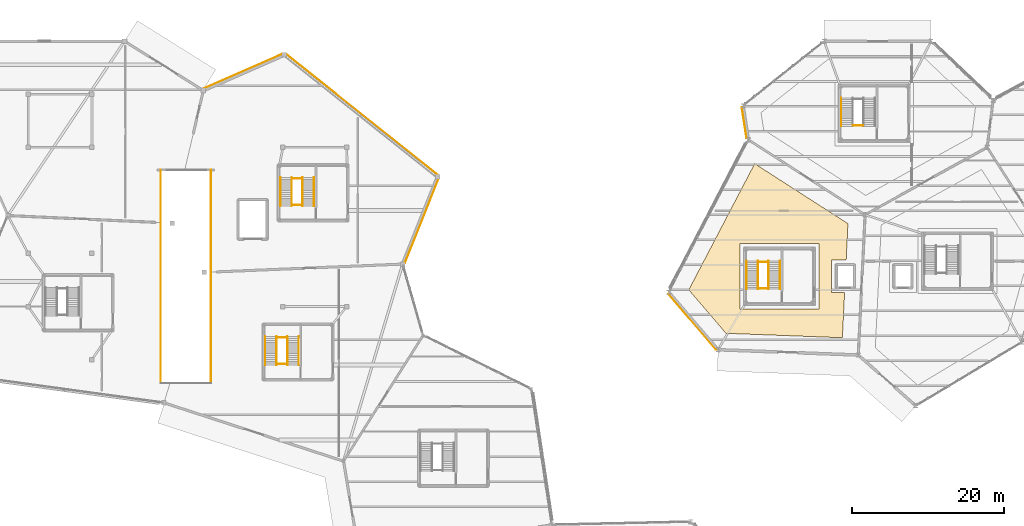
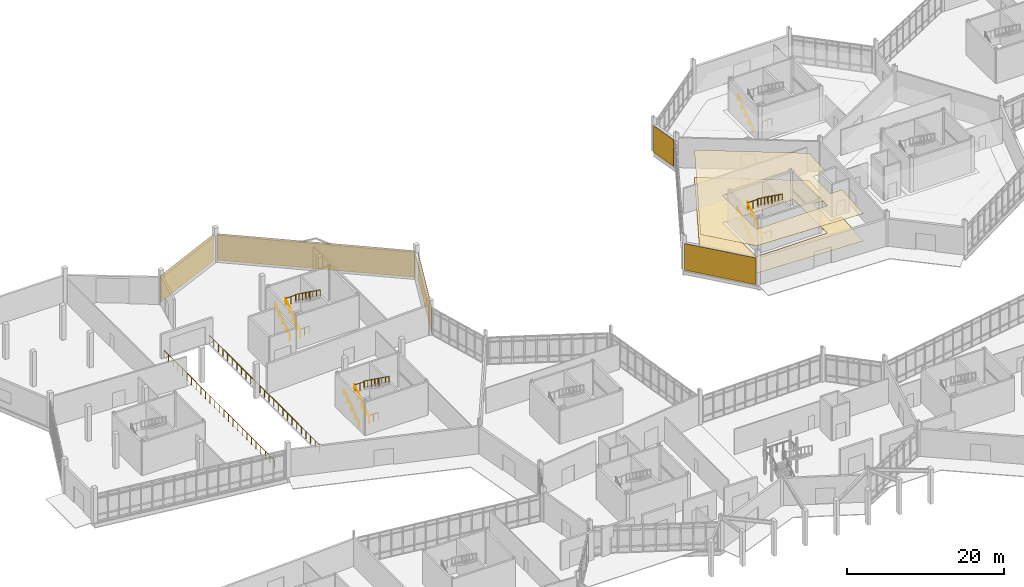
# One storey, part 112 of 113: 22 railings, 7 coverings.
"""IFC4 building model written with IfcOpenShell, lengths in metres."""

import ifcopenshell
import ifcopenshell.guid

model = None  # the IFC model being written
_history = None  # IfcOwnerHistory: only IFC2X3 demands one
_inside = {}  # id of a spatial element -> (the spatial element, [elements in it])
_under = {}  # id of a project, library or spatial element -> (it, [spatial elements below it])
_declared = {}  # id of a project -> (the project, [libraries it declares])
_typed = {}  # id of a type object -> (the type object, [elements of that type])
_made_of = {}  # id of a material, layer set ... -> (it, [elements and type objects made of it])


def new_model(schema):
    """Start an empty IFC model of exactly this schema.

    Asked for "IFC4X3", IfcOpenShell would pick the latest addendum, in which some entities
    have other attributes; the version numbers below select the first issue.
    IFC2X3 requires an IfcOwnerHistory on every rooted entity: one is made here for all.
    """
    global model, _history
    if schema == "IFC4X3":
        model = ifcopenshell.file(schema_version=(4, 3, 0, 0))
    else:
        model = ifcopenshell.file(schema=schema)
    _inside.clear()
    _under.clear()
    _declared.clear()
    _typed.clear()
    _made_of.clear()
    _history = None
    if model.schema == "IFC2X3":
        org = make("IfcOrganization", Name="unknown")
        user = make(
            "IfcPersonAndOrganization",
            ThePerson=make("IfcPerson", FamilyName="unknown"),
            TheOrganization=org,
        )
        app = make(
            "IfcApplication",
            ApplicationDeveloper=org,
            Version="unknown",
            ApplicationFullName="unknown",
            ApplicationIdentifier="unknown",
        )
        _history = make(
            "IfcOwnerHistory",
            OwningUser=user,
            OwningApplication=app,
            ChangeAction="ADDED",
            CreationDate=0,
        )
    return model


def make(cls, **values):
    """One entity of the class cls with the attributes given. An attribute that is None is left unset."""
    return model.create_entity(
        cls, **{name: value for name, value in values.items() if value is not None}
    )


def rooted(cls, **values):
    """An entity with a GlobalId (a new one), such as an element, a storey or a relation."""
    return make(cls, GlobalId=ifcopenshell.guid.new(), OwnerHistory=_history, **values)


def si_unit(unit_type, name, prefix=None):
    """IfcSIUnit, for example si_unit("LENGTHUNIT", "METRE", prefix="MILLI")."""
    return make("IfcSIUnit", UnitType=unit_type, Prefix=prefix, Name=name)


def assignment(units):
    """IfcUnitAssignment: the units of a project."""
    return None if units is None else make("IfcUnitAssignment", Units=units)


def point(xyz):
    """IfcCartesianPoint."""
    return None if xyz is None else make("IfcCartesianPoint", Coordinates=xyz)


def direction(xyz):
    """IfcDirection."""
    return None if xyz is None else make("IfcDirection", DirectionRatios=xyz)


def frame(location, z_axis=None, x_axis=None):
    """IfcAxis2Placement3D, a coordinate frame: its origin and axes. An axis left out is left unset."""
    return make(
        "IfcAxis2Placement3D",
        Location=point(location),
        Axis=direction(z_axis),
        RefDirection=direction(x_axis),
    )


def frame_2d(location, x_axis=None):
    """IfcAxis2Placement2D, a coordinate frame in the plane: its origin and x axis."""
    return make(
        "IfcAxis2Placement2D", Location=point(location), RefDirection=direction(x_axis)
    )


def origin():
    """The frame at (0, 0, 0) with its axes left unset."""
    return frame((0.0, 0.0, 0.0))


def origin_2d():
    """The frame at (0, 0) in the plane with its x axis left unset."""
    return frame_2d((0.0, 0.0))


def place(relative_to, where):
    """IfcLocalPlacement: puts the frame where relative to a parent placement (None: the world)."""
    return make(
        "IfcLocalPlacement", PlacementRelTo=relative_to, RelativePlacement=where
    )


def context(
    kind, dimensions, precision=None, world=None, true_north=None, identifier=None
):
    """IfcGeometricRepresentationContext, for example the 3D "Model" context."""
    return make(
        "IfcGeometricRepresentationContext",
        ContextIdentifier=identifier,
        ContextType=kind,
        CoordinateSpaceDimension=dimensions,
        Precision=precision,
        WorldCoordinateSystem=world,
        TrueNorth=true_north,
    )


def subcontext(parent, identifier, kind, view, scale=None):
    """IfcGeometricRepresentationSubContext, for example "Body" below "Model"."""
    return make(
        "IfcGeometricRepresentationSubContext",
        ContextIdentifier=identifier,
        ContextType=kind,
        ParentContext=parent,
        TargetScale=scale,
        TargetView=view,
    )


def project(units=None, contexts=None):
    """IfcProject with its units and contexts."""
    return rooted(
        "IfcProject",
        Name="project",
        RepresentationContexts=contexts,
        UnitsInContext=assignment(units),
    )


def spatial(cls, under=None, at=None, **own):
    """A site, building, storey or space (cls), placed at a placement, below another one or the project."""
    s = rooted(cls, ObjectPlacement=at, **own)
    if under is not None:
        _under.setdefault(under.id(), (under, []))[1].append(s)
    return s


def polyline(points):
    """IfcPolyline through the points."""
    return make("IfcPolyline", Points=[point(p) for p in points])


def profile(cls, at=None, kind="AREA", **sizes):
    """A parametric profile (cls). Its sizes go by their IFC names, for example OverallWidth=200.0."""
    return make(cls, ProfileType=kind, Position=at, **sizes)


def rectangle(**sizes):
    """IfcRectangleProfileDef."""
    return profile("IfcRectangleProfileDef", **sizes)


def circle(**sizes):
    """IfcCircleProfileDef."""
    return profile("IfcCircleProfileDef", **sizes)


def outline(outer, holes=None, kind="AREA"):
    """IfcArbitraryClosedProfileDef: a profile drawn as a closed curve; with holes, ...WithVoids."""
    if holes is None:
        return make("IfcArbitraryClosedProfileDef", ProfileType=kind, OuterCurve=outer)
    return make(
        "IfcArbitraryProfileDefWithVoids",
        ProfileType=kind,
        OuterCurve=outer,
        InnerCurves=holes,
    )


def extrude(swept, where, along, depth):
    """IfcExtrudedAreaSolid: the profile swept, set in the frame where, extruded along a direction by depth."""
    return make(
        "IfcExtrudedAreaSolid",
        SweptArea=swept,
        Position=where,
        ExtrudedDirection=direction(along),
        Depth=depth,
    )


def shape(context_of_items, identifier, shape_type, items):
    """IfcShapeRepresentation: the items that make up one representation, for example the "Body"."""
    return make(
        "IfcShapeRepresentation",
        ContextOfItems=context_of_items,
        RepresentationIdentifier=identifier,
        RepresentationType=shape_type,
        Items=items,
    )


def material(Name=None, Category=None):
    """IfcMaterial."""
    return make("IfcMaterial", Name=Name, Category=Category)


def layer(
    of_material, thickness, ventilated=None, Name=None, Category=None, Priority=None
):
    """IfcMaterialLayer: one layer of a wall or slab, of a material (None: an air gap)."""
    return make(
        "IfcMaterialLayer",
        Material=of_material,
        LayerThickness=thickness,
        IsVentilated=ventilated,
        Name=Name,
        Category=Category,
        Priority=Priority,
    )


def layer_set(layers, Name=None):
    """IfcMaterialLayerSet."""
    return make("IfcMaterialLayerSet", MaterialLayers=layers, LayerSetName=Name)


def made_of(thing, what):
    """Note that an element or type object is made of a material, layer set ...; save() writes the relation."""
    if what is not None:
        _made_of.setdefault(what.id(), (what, []))[1].append(thing)
    return thing


def type_object(cls, material=None, **own):
    """A type object (cls), such as IfcWallType, which elements share."""
    return made_of(rooted(cls, **own), material)


def element(
    cls,
    number,
    at=None,
    inside=None,
    cuts=None,
    type_object=None,
    material=None,
    context=None,
    identifier="Body",
    shape_type=None,
    held_by="IfcProductDefinitionShape",
    body=None,
    shapes=None,
    **own,
):
    """One element of the class cls, such as IfcWall. Its Tag is "e" and its number.

    at: its placement. inside: the storey or other place that contains it. cuts: it is an
    opening in that element (IfcRelVoidsElement). A single representation is given by context,
    identifier, shape_type and body (its items); several are given by shapes. held_by: the class
    of the entity that holds the representations. save() writes the other relations.
    """
    e = rooted(cls, Tag="e%d" % number, ObjectPlacement=at, **own)
    if body is not None:
        shapes = [shape(context, identifier, shape_type, body)]
    if shapes is not None:
        e.Representation = make(held_by, Representations=shapes)
    if inside is not None:
        _inside.setdefault(inside.id(), (inside, []))[1].append(e)
    if cuts is not None:
        rooted(
            "IfcRelVoidsElement", RelatingBuildingElement=cuts, RelatedOpeningElement=e
        )
    if type_object is not None:
        _typed.setdefault(type_object.id(), (type_object, []))[1].append(e)
    return made_of(e, material)


def aggregate(whole, parts):
    """IfcRelAggregates: a whole, such as a stair, and the parts it consists of."""
    return rooted("IfcRelAggregates", RelatingObject=whole, RelatedObjects=parts)


def save(model, path):
    """Write the relations noted so far, then the file.

    IfcRelAggregates (storeys below a building ...), IfcRelContainedInSpatialStructure (elements
    in a storey), IfcRelDefinesByType, IfcRelAssociatesMaterial and IfcRelDeclares: one each for
    every whole, place, type object, material and project.
    """
    for whole, parts in _under.values():
        aggregate(whole, parts)
    for where, things in _inside.values():
        rooted(
            "IfcRelContainedInSpatialStructure",
            RelatedElements=things,
            RelatingStructure=where,
        )
    for kind, things in _typed.values():
        rooted("IfcRelDefinesByType", RelatedObjects=things, RelatingType=kind)
    for what, things in _made_of.values():
        rooted("IfcRelAssociatesMaterial", RelatedObjects=things, RelatingMaterial=what)
    for by, libraries in _declared.values():
        rooted("IfcRelDeclares", RelatingContext=by, RelatedDefinitions=libraries)
    model.write(path)


model = new_model("IFC4")

# Units and contexts
model_context = context("Model", 3, precision=1e-05, world=origin(), true_north=direction((0.0, 1.0)))
body_context = subcontext(model_context, "Body", "Model", "MODEL_VIEW")
ifc_project = project(units=[si_unit("LENGTHUNIT", "METRE"), si_unit("AREAUNIT", "SQUARE_METRE"), si_unit("VOLUMEUNIT", "CUBIC_METRE"), si_unit("PLANEANGLEUNIT", "RADIAN"), si_unit("MASSUNIT", "GRAM", prefix="KILO")], contexts=[model_context])

# Site, building, storey
site_placement = place(None, origin())
site = spatial("IfcSite", under=ifc_project, at=site_placement, CompositionType="ELEMENT")
building_placement = place(site_placement, origin())
building = spatial("IfcBuilding", under=site, at=building_placement, Name="Tameran Prism Museum", CompositionType="ELEMENT")
storey_placement = place(building_placement, origin())
storey = spatial("IfcBuildingStorey", under=building, at=storey_placement, Name="L00", CompositionType="ELEMENT", Elevation=0.0)

# Coverings
ifc_material_1 = material(Name="Perforated Acoustic Timber Slat Ceiling", Category="wood")
ifc_layer_1 = layer(ifc_material_1, 0.034912109375)
ifc_layer_set_1 = layer_set([ifc_layer_1])
covering_type_1 = type_object("IfcCoveringType", Name="CV-CEIL-AC", PredefinedType="CEILING", material=ifc_layer_set_1)
covering_1_placement = place(storey_placement, frame((0.0, 0.0, 4.25)))
element("IfcCovering", 1, at=covering_1_placement, inside=storey, type_object=covering_type_1, Name="Acoustic Gallery Ceiling CLG-01", PredefinedType="CEILING", context=body_context, shape_type="SweptSolid", body=[
    extrude(outline(polyline([(95.5390625, 79.199951171875), (104.235107421875, 95.847900390625), (116.541015625, 87.93701171875), (116.30810546875, 83.14990234375), (114.39990234375, 83.14990234375), (114.39990234375, 78.85009765625), (116.09912109375, 78.85009765625), (115.80810546875, 72.881103515625), (100.446044921875, 73.4619140625), (95.5390625, 79.199951171875)]), holes=[polyline([(112.699951171875, 85.300048828125), (102.300048828125, 85.300048828125), (102.300048828125, 76.699951171875), (112.699951171875, 76.699951171875), (112.699951171875, 85.300048828125)])]), origin(), (0.0, 0.0, 1.0), 0.034912109375),
])
ifc_material_2 = material(Name="Honed Porcellanite Terrazzo Flooring")
ifc_layer_2 = layer(ifc_material_2, 0.030029296875)
ifc_layer_set_2 = layer_set([ifc_layer_2])
covering_type_2 = type_object("IfcCoveringType", Name="CV-FLR-TER", PredefinedType="FLOORING", material=ifc_layer_set_2)
covering_2_placement = place(storey_placement, origin())
element("IfcCovering", 2, at=covering_2_placement, inside=storey, type_object=covering_type_2, Name="Porcellanite Terrazzo Floor FLR-01", PredefinedType="FLOORING", context=body_context, shape_type="SweptSolid", body=[
    extrude(outline(polyline([(95.5390625, 79.199951171875), (104.235107421875, 95.847900390625), (116.541015625, 87.93701171875), (116.30810546875, 83.14990234375), (114.39990234375, 83.14990234375), (114.39990234375, 78.85009765625), (116.09912109375, 78.85009765625), (115.80810546875, 72.881103515625), (100.446044921875, 73.4619140625), (95.5390625, 79.199951171875)]), holes=[polyline([(112.699951171875, 85.300048828125), (102.300048828125, 85.300048828125), (102.300048828125, 76.699951171875), (112.699951171875, 76.699951171875), (112.699951171875, 85.300048828125)])]), origin(), (0.0, 0.0, 1.0), 0.030029296875),
])
ifc_material_3 = material(Name="White Fluted Mineral Precast GRC", Category="concrete")
ifc_layer_3 = layer(ifc_material_3, 0.044921875)
ifc_layer_set_3 = layer_set([ifc_layer_3])
covering_type_3 = type_object("IfcCoveringType", Name="CV-FLUTE-WHT", PredefinedType="CLADDING", material=ifc_layer_set_3)
covering_3_placement = place(storey_placement, frame((99.138916015625, 71.31298828125, 0.050048828125), z_axis=(0.0, 0.0, 1.0), x_axis=(-0.649933824591, 0.759990804979, 0.0)))
element("IfcCovering", 3, at=covering_3_placement, inside=storey, type_object=covering_type_3, Name="Vertical Fluted White Precast Panel CL-0001", PredefinedType="CLADDING", context=body_context, shape_type="SweptSolid", body=[
    extrude(rectangle(XDim=9.640869140625, YDim=0.044921875, at=frame_2d((4.8203125, 0.0))), origin(), (0.0, 0.0, 1.0), 4.119873046875),
])
covering_4_placement = place(storey_placement, frame((103.176025390625, 99.2080078125, 0.050048828125), z_axis=(0.0, 0.0, 1.0), x_axis=(-0.153836417565, 0.988096329631, 0.0)))
element("IfcCovering", 4, at=covering_4_placement, inside=storey, type_object=covering_type_3, Name="Vertical Fluted White Precast Panel CL-0003", PredefinedType="CLADDING", context=body_context, shape_type="SweptSolid", body=[
    extrude(rectangle(XDim=4.13427734375, YDim=0.044921875, at=frame_2d((2.067138671875, 0.0))), origin(), (0.0, 0.0, 1.0), 4.119873046875),
])
covering_5_placement = place(storey_placement, frame((62.537109375, 93.85107421875, 0.050048828125), z_axis=(0.0, 0.0, 1.0), x_axis=(-0.371394194095, -0.928475283781, 0.0)))
element("IfcCovering", 5, at=covering_5_placement, inside=storey, type_object=covering_type_3, Name="Vertical Fluted White Precast Panel CL-0008", PredefinedType="CLADDING", context=body_context, shape_type="SweptSolid", body=[
    extrude(rectangle(XDim=11.966064453125, YDim=0.044921875, at=frame_2d((5.98291015625, 0.0))), origin(), (0.0, 0.0, 1.0), 4.119873046875),
])
covering_6_placement = place(storey_placement, frame((42.47802734375, 110.260009765625, 0.050048828125), z_axis=(0.0, 0.0, 1.0), x_axis=(0.781985968603, -0.623296033123, 0.0)))
element("IfcCovering", 6, at=covering_6_placement, inside=storey, type_object=covering_type_3, Name="Vertical Fluted White Precast Panel CL-0009", PredefinedType="CLADDING", context=body_context, shape_type="SweptSolid", body=[
    extrude(rectangle(XDim=25.470947265625, YDim=0.044921875, at=frame_2d((12.7353515625, 0.0))), origin(), (0.0, 0.0, 1.0), 4.119873046875),
])
covering_7_placement = place(storey_placement, frame((31.631103515625, 105.798095703125, 0.050048828125), z_axis=(0.0, 0.0, 1.0), x_axis=(0.915576515627, 0.402143810137, 0.0)))
element("IfcCovering", 7, at=covering_7_placement, inside=storey, type_object=covering_type_3, Name="Vertical Fluted White Precast Panel CL-0010", PredefinedType="CLADDING", context=body_context, shape_type="SweptSolid", body=[
    extrude(rectangle(XDim=11.26708984375, YDim=0.044921875, at=frame_2d((5.633544921875, 0.0))), origin(), (0.0, 0.0, 1.0), 4.119873046875),
])

# Railings
ifc_material_4 = material(Name="Marine Stainless Steel 316", Category="steel")
ifc_layer_4 = layer(ifc_material_4, 0.054931640625)
ifc_layer_set_4 = layer_set([ifc_layer_4])
railing_type_1 = type_object("IfcRailingType", Name="RL-GR-1120", PredefinedType="GUARDRAIL", material=ifc_layer_set_4)
railing_1_placement = place(storey_placement, frame((104.68994140625, 79.39990234375, 0.0)))
element("IfcRailing", 8, at=railing_1_placement, inside=storey, type_object=railing_type_1, Name="Stair Well Slot Guard GR-S004", PredefinedType="GUARDRAIL", context=body_context, shape_type="SweptSolid", body=[
    extrude(circle(Radius=0.02392578125, at=origin_2d()), frame((0.0, 0.0, 1.1259765625), z_axis=(1.0, 0.0, 0.0), x_axis=(0.0, 1.0, 0.0)), (0.0, 0.0, 1.0), 1.3701171875),
    extrude(circle(Radius=0.02099609375, at=origin_2d()), origin(), (0.0, 0.0, 1.0), 1.101806640625),
    extrude(circle(Radius=0.02099609375, at=origin_2d()), frame((0.68505859375, 0.0, 0.0)), (0.0, 0.0, 1.0), 1.101806640625),
    extrude(circle(Radius=0.02099609375, at=origin_2d()), frame((1.3701171875, 0.0, 0.0)), (0.0, 0.0, 1.0), 1.101806640625),
])
railing_2_placement = place(storey_placement, frame((104.669921875, 79.280029296875, 0.0)))
element("IfcRailing", 9, at=railing_2_placement, inside=storey, type_object=railing_type_1, Name="Stair Well Guardrail GR-S005", PredefinedType="GUARDRAIL", context=body_context, shape_type="SweptSolid", body=[
    extrude(circle(Radius=0.02392578125, at=origin_2d()), frame((0.0, 0.0, 1.1259765625), z_axis=(0.0, 0.811539352079, 0.584297766578), x_axis=(-1.0, 0.0, 0.0)), (0.0, 0.0, 1.0), 4.620849609375),
    extrude(circle(Radius=0.02099609375, at=origin_2d()), origin(), (0.0, 0.0, 1.0), 1.101806640625),
    extrude(circle(Radius=0.02099609375, at=origin_2d()), frame((0.0, 0.9375, 0.675048828125)), (0.0, 0.0, 1.0), 1.101806640625),
    extrude(circle(Radius=0.02099609375, at=origin_2d()), frame((0.0, 1.875, 1.35009765625)), (0.0, 0.0, 1.0), 1.101806640625),
    extrude(circle(Radius=0.02099609375, at=origin_2d()), frame((0.0, 2.8125, 2.02490234375)), (0.0, 0.0, 1.0), 1.101806640625),
    extrude(circle(Radius=0.02099609375, at=origin_2d()), frame((0.0, 3.75, 2.699951171875)), (0.0, 0.0, 1.0), 1.101806640625),
])
railing_3_placement = place(storey_placement, frame((106.080078125, 83.030029296875, 2.699951171875)))
element("IfcRailing", 10, at=railing_3_placement, inside=storey, type_object=railing_type_1, Name="Stair Well Guardrail GR-S006", PredefinedType="GUARDRAIL", context=body_context, shape_type="SweptSolid", body=[
    extrude(circle(Radius=0.02392578125, at=origin_2d()), frame((0.0, 0.0, 1.1259765625), z_axis=(0.0, -0.811539352079, 0.584297766578), x_axis=(1.0, 0.0, 0.0)), (0.0, 0.0, 1.0), 4.620849609375),
    extrude(circle(Radius=0.02099609375, at=origin_2d()), origin(), (0.0, 0.0, 1.0), 1.101806640625),
    extrude(circle(Radius=0.02099609375, at=origin_2d()), frame((0.0, -0.9375, 0.675048828125)), (0.0, 0.0, 1.0), 1.101806640625),
    extrude(circle(Radius=0.02099609375, at=origin_2d()), frame((0.0, -1.875, 1.35009765625)), (0.0, 0.0, 1.0), 1.101806640625),
    extrude(circle(Radius=0.02099609375, at=origin_2d()), frame((0.0, -2.8125, 2.02490234375)), (0.0, 0.0, 1.0), 1.101806640625),
    extrude(circle(Radius=0.02099609375, at=origin_2d()), frame((0.0, -3.75, 2.699951171875)), (0.0, 0.0, 1.0), 1.101806640625),
])
railing_4_placement = place(storey_placement, frame((104.64990234375, 82.889892578125, 2.699951171875)))
element("IfcRailing", 11, at=railing_4_placement, inside=storey, type_object=railing_type_1, Name="Landing Well Guardrail GR-S007", PredefinedType="GUARDRAIL", context=body_context, shape_type="SweptSolid", body=[
    extrude(circle(Radius=0.02392578125, at=origin_2d()), frame((0.0, 0.0, 1.1259765625), z_axis=(1.0, 0.0, 0.0), x_axis=(0.0, 1.0, 0.0)), (0.0, 0.0, 1.0), 1.4501953125),
    extrude(circle(Radius=0.02099609375, at=origin_2d()), origin(), (0.0, 0.0, 1.0), 1.101806640625),
    extrude(circle(Radius=0.02099609375, at=origin_2d()), frame((0.72509765625, 0.0, 0.0)), (0.0, 0.0, 1.0), 1.101806640625),
    extrude(circle(Radius=0.02099609375, at=origin_2d()), frame((1.4501953125, 0.0, 0.0)), (0.0, 0.0, 1.0), 1.101806640625),
])
for number, where, name in (
    (12, (117.18994140625, 100.89990234375, 0.0), "Stair Well Slot Guard GR-S060"),
    (13, (41.18994140625, 69.39990234375, 0.0), "Stair Well Slot Guard GR-S140"),
):
    element("IfcRailing", number, at=place(storey_placement, frame(where)), inside=storey, type_object=railing_type_1, Name=name, PredefinedType="GUARDRAIL", context=body_context, shape_type="SweptSolid", body=[
        extrude(circle(Radius=0.02392578125, at=origin_2d()), frame((0.0, 0.0, 1.1259765625), z_axis=(1.0, 0.0, 0.0), x_axis=(0.0, 1.0, 0.0)), (0.0, 0.0, 1.0), 1.3701171875),
        extrude(circle(Radius=0.02099609375, at=origin_2d()), origin(), (0.0, 0.0, 1.0), 1.101806640625),
        extrude(circle(Radius=0.02099609375, at=origin_2d()), frame((0.68505859375, 0.0, 0.0)), (0.0, 0.0, 1.0), 1.101806640625),
        extrude(circle(Radius=0.02099609375, at=origin_2d()), frame((1.3701171875, 0.0, 0.0)), (0.0, 0.0, 1.0), 1.101806640625),
    ])
railing_5_placement = place(storey_placement, frame((41.169921875, 69.280029296875, 0.0)))
element("IfcRailing", 14, at=railing_5_placement, inside=storey, type_object=railing_type_1, Name="Stair Well Guardrail GR-S141", PredefinedType="GUARDRAIL", context=body_context, shape_type="SweptSolid", body=[
    extrude(circle(Radius=0.02392578125, at=origin_2d()), frame((0.0, 0.0, 1.1259765625), z_axis=(0.0, 0.811539352079, 0.584297766578), x_axis=(-1.0, 0.0, 0.0)), (0.0, 0.0, 1.0), 4.620849609375),
    extrude(circle(Radius=0.02099609375, at=origin_2d()), origin(), (0.0, 0.0, 1.0), 1.101806640625),
    extrude(circle(Radius=0.02099609375, at=origin_2d()), frame((0.0, 0.9375, 0.675048828125)), (0.0, 0.0, 1.0), 1.101806640625),
    extrude(circle(Radius=0.02099609375, at=origin_2d()), frame((0.0, 1.875, 1.35009765625)), (0.0, 0.0, 1.0), 1.101806640625),
    extrude(circle(Radius=0.02099609375, at=origin_2d()), frame((0.0, 2.8125, 2.02490234375)), (0.0, 0.0, 1.0), 1.101806640625),
    extrude(circle(Radius=0.02099609375, at=origin_2d()), frame((0.0, 3.75, 2.699951171875)), (0.0, 0.0, 1.0), 1.101806640625),
])
railing_6_placement = place(storey_placement, frame((42.580078125, 73.030029296875, 2.699951171875)))
element("IfcRailing", 15, at=railing_6_placement, inside=storey, type_object=railing_type_1, Name="Stair Well Guardrail GR-S142", PredefinedType="GUARDRAIL", context=body_context, shape_type="SweptSolid", body=[
    extrude(circle(Radius=0.02392578125, at=origin_2d()), frame((0.0, 0.0, 1.1259765625), z_axis=(0.0, -0.811539352079, 0.584297766578), x_axis=(1.0, 0.0, 0.0)), (0.0, 0.0, 1.0), 4.620849609375),
    extrude(circle(Radius=0.02099609375, at=origin_2d()), origin(), (0.0, 0.0, 1.0), 1.101806640625),
    extrude(circle(Radius=0.02099609375, at=origin_2d()), frame((0.0, -0.9375, 0.675048828125)), (0.0, 0.0, 1.0), 1.101806640625),
    extrude(circle(Radius=0.02099609375, at=origin_2d()), frame((0.0, -1.875, 1.35009765625)), (0.0, 0.0, 1.0), 1.101806640625),
    extrude(circle(Radius=0.02099609375, at=origin_2d()), frame((0.0, -2.8125, 2.02490234375)), (0.0, 0.0, 1.0), 1.101806640625),
    extrude(circle(Radius=0.02099609375, at=origin_2d()), frame((0.0, -3.75, 2.699951171875)), (0.0, 0.0, 1.0), 1.101806640625),
])
railing_7_placement = place(storey_placement, frame((41.14990234375, 72.889892578125, 2.699951171875)))
element("IfcRailing", 16, at=railing_7_placement, inside=storey, type_object=railing_type_1, Name="Landing Well Guardrail GR-S143", PredefinedType="GUARDRAIL", context=body_context, shape_type="SweptSolid", body=[
    extrude(circle(Radius=0.02392578125, at=origin_2d()), frame((0.0, 0.0, 1.1259765625), z_axis=(1.0, 0.0, 0.0), x_axis=(0.0, 1.0, 0.0)), (0.0, 0.0, 1.0), 1.4501953125),
    extrude(circle(Radius=0.02099609375, at=origin_2d()), origin(), (0.0, 0.0, 1.0), 1.101806640625),
    extrude(circle(Radius=0.02099609375, at=origin_2d()), frame((0.72509765625, 0.0, 0.0)), (0.0, 0.0, 1.0), 1.101806640625),
    extrude(circle(Radius=0.02099609375, at=origin_2d()), frame((1.4501953125, 0.0, 0.0)), (0.0, 0.0, 1.0), 1.101806640625),
])
railing_8_placement = place(storey_placement, frame((43.18994140625, 90.39990234375, 0.0)))
element("IfcRailing", 17, at=railing_8_placement, inside=storey, type_object=railing_type_1, Name="Stair Well Slot Guard GR-S200", PredefinedType="GUARDRAIL", context=body_context, shape_type="SweptSolid", body=[
    extrude(circle(Radius=0.02392578125, at=origin_2d()), frame((0.0, 0.0, 1.1259765625), z_axis=(1.0, 0.0, 0.0), x_axis=(0.0, 1.0, 0.0)), (0.0, 0.0, 1.0), 1.3701171875),
    extrude(circle(Radius=0.02099609375, at=origin_2d()), origin(), (0.0, 0.0, 1.0), 1.101806640625),
    extrude(circle(Radius=0.02099609375, at=origin_2d()), frame((0.68505859375, 0.0, 0.0)), (0.0, 0.0, 1.0), 1.101806640625),
    extrude(circle(Radius=0.02099609375, at=origin_2d()), frame((1.3701171875, 0.0, 0.0)), (0.0, 0.0, 1.0), 1.101806640625),
])
railing_9_placement = place(storey_placement, frame((43.169921875, 90.280029296875, 0.0)))
element("IfcRailing", 18, at=railing_9_placement, inside=storey, type_object=railing_type_1, Name="Stair Well Guardrail GR-S201", PredefinedType="GUARDRAIL", context=body_context, shape_type="SweptSolid", body=[
    extrude(circle(Radius=0.02392578125, at=origin_2d()), frame((0.0, 0.0, 1.1259765625), z_axis=(0.0, 0.811539352079, 0.584297766578), x_axis=(-1.0, 0.0, 0.0)), (0.0, 0.0, 1.0), 4.620849609375),
    extrude(circle(Radius=0.02099609375, at=origin_2d()), origin(), (0.0, 0.0, 1.0), 1.101806640625),
    extrude(circle(Radius=0.02099609375, at=origin_2d()), frame((0.0, 0.9375, 0.675048828125)), (0.0, 0.0, 1.0), 1.101806640625),
    extrude(circle(Radius=0.02099609375, at=origin_2d()), frame((0.0, 1.875, 1.35009765625)), (0.0, 0.0, 1.0), 1.101806640625),
    extrude(circle(Radius=0.02099609375, at=origin_2d()), frame((0.0, 2.8125, 2.02490234375)), (0.0, 0.0, 1.0), 1.101806640625),
    extrude(circle(Radius=0.02099609375, at=origin_2d()), frame((0.0, 3.75, 2.699951171875)), (0.0, 0.0, 1.0), 1.101806640625),
])
railing_10_placement = place(storey_placement, frame((44.580078125, 94.030029296875, 2.699951171875)))
element("IfcRailing", 19, at=railing_10_placement, inside=storey, type_object=railing_type_1, Name="Stair Well Guardrail GR-S202", PredefinedType="GUARDRAIL", context=body_context, shape_type="SweptSolid", body=[
    extrude(circle(Radius=0.02392578125, at=origin_2d()), frame((0.0, 0.0, 1.1259765625), z_axis=(0.0, -0.811539352079, 0.584297766578), x_axis=(1.0, 0.0, 0.0)), (0.0, 0.0, 1.0), 4.620849609375),
    extrude(circle(Radius=0.02099609375, at=origin_2d()), origin(), (0.0, 0.0, 1.0), 1.101806640625),
    extrude(circle(Radius=0.02099609375, at=origin_2d()), frame((0.0, -0.9375, 0.675048828125)), (0.0, 0.0, 1.0), 1.101806640625),
    extrude(circle(Radius=0.02099609375, at=origin_2d()), frame((0.0, -1.875, 1.35009765625)), (0.0, 0.0, 1.0), 1.101806640625),
    extrude(circle(Radius=0.02099609375, at=origin_2d()), frame((0.0, -2.8125, 2.02490234375)), (0.0, 0.0, 1.0), 1.101806640625),
    extrude(circle(Radius=0.02099609375, at=origin_2d()), frame((0.0, -3.75, 2.699951171875)), (0.0, 0.0, 1.0), 1.101806640625),
])
railing_11_placement = place(storey_placement, frame((43.14990234375, 93.889892578125, 2.699951171875)))
element("IfcRailing", 20, at=railing_11_placement, inside=storey, type_object=railing_type_1, Name="Landing Well Guardrail GR-S203", PredefinedType="GUARDRAIL", context=body_context, shape_type="SweptSolid", body=[
    extrude(circle(Radius=0.02392578125, at=origin_2d()), frame((0.0, 0.0, 1.1259765625), z_axis=(1.0, 0.0, 0.0), x_axis=(0.0, 1.0, 0.0)), (0.0, 0.0, 1.0), 1.4501953125),
    extrude(circle(Radius=0.02099609375, at=origin_2d()), origin(), (0.0, 0.0, 1.0), 1.101806640625),
    extrude(circle(Radius=0.02099609375, at=origin_2d()), frame((0.72509765625, 0.0, 0.0)), (0.0, 0.0, 1.0), 1.101806640625),
    extrude(circle(Radius=0.02099609375, at=origin_2d()), frame((1.4501953125, 0.0, 0.0)), (0.0, 0.0, 1.0), 1.101806640625),
])
railing_12_placement = place(storey_placement, frame((25.8798828125, 66.8798828125, 0.0)))
element("IfcRailing", 21, at=railing_12_placement, inside=storey, type_object=railing_type_1, Name="Ramp Void Guardrail GR-R01", PredefinedType="GUARDRAIL", context=body_context, shape_type="SweptSolid", body=[
    extrude(circle(Radius=0.02392578125, at=origin_2d()), frame((0.0, 0.0, 1.1259765625), z_axis=(0.0, 1.0, 0.0), x_axis=(-1.0, 0.0, 0.0)), (0.0, 0.0, 1.0), 28.1201171875),
    extrude(circle(Radius=0.02099609375, at=origin_2d()), origin(), (0.0, 0.0, 1.0), 1.101806640625),
    extrude(circle(Radius=0.02099609375, at=origin_2d()), frame((0.0, 1.171630859375, 0.0)), (0.0, 0.0, 1.0), 1.101806640625),
    extrude(circle(Radius=0.02099609375, at=origin_2d()), frame((0.0, 2.34326171875, 0.0)), (0.0, 0.0, 1.0), 1.101806640625),
    extrude(circle(Radius=0.02099609375, at=origin_2d()), frame((0.0, 3.51513671875, 0.0)), (0.0, 0.0, 1.0), 1.101806640625),
    extrude(circle(Radius=0.02099609375, at=origin_2d()), frame((0.0, 4.686767578125, 0.0)), (0.0, 0.0, 1.0), 1.101806640625),
    extrude(circle(Radius=0.02099609375, at=origin_2d()), frame((0.0, 5.8583984375, 0.0)), (0.0, 0.0, 1.0), 1.101806640625),
    extrude(circle(Radius=0.02099609375, at=origin_2d()), frame((0.0, 7.030029296875, 0.0)), (0.0, 0.0, 1.0), 1.101806640625),
    extrude(circle(Radius=0.02099609375, at=origin_2d()), frame((0.0, 8.20166015625, 0.0)), (0.0, 0.0, 1.0), 1.101806640625),
    extrude(circle(Radius=0.02099609375, at=origin_2d()), frame((0.0, 9.373291015625, 0.0)), (0.0, 0.0, 1.0), 1.101806640625),
    extrude(circle(Radius=0.02099609375, at=origin_2d()), frame((0.0, 10.544921875, 0.0)), (0.0, 0.0, 1.0), 1.101806640625),
    extrude(circle(Radius=0.02099609375, at=origin_2d()), frame((0.0, 11.716796875, 0.0)), (0.0, 0.0, 1.0), 1.101806640625),
    extrude(circle(Radius=0.02099609375, at=origin_2d()), frame((0.0, 12.888427734375, 0.0)), (0.0, 0.0, 1.0), 1.101806640625),
    extrude(circle(Radius=0.02099609375, at=origin_2d()), frame((0.0, 14.06005859375, 0.0)), (0.0, 0.0, 1.0), 1.101806640625),
    extrude(circle(Radius=0.02099609375, at=origin_2d()), frame((0.0, 15.231689453125, 0.0)), (0.0, 0.0, 1.0), 1.101806640625),
    extrude(circle(Radius=0.02099609375, at=origin_2d()), frame((0.0, 16.4033203125, 0.0)), (0.0, 0.0, 1.0), 1.101806640625),
    extrude(circle(Radius=0.02099609375, at=origin_2d()), frame((0.0, 17.5751953125, 0.0)), (0.0, 0.0, 1.0), 1.101806640625),
    extrude(circle(Radius=0.02099609375, at=origin_2d()), frame((0.0, 18.746826171875, 0.0)), (0.0, 0.0, 1.0), 1.101806640625),
    extrude(circle(Radius=0.02099609375, at=origin_2d()), frame((0.0, 19.91845703125, 0.0)), (0.0, 0.0, 1.0), 1.101806640625),
    extrude(circle(Radius=0.02099609375, at=origin_2d()), frame((0.0, 21.090087890625, 0.0)), (0.0, 0.0, 1.0), 1.101806640625),
    extrude(circle(Radius=0.02099609375, at=origin_2d()), frame((0.0, 22.26171875, 0.0)), (0.0, 0.0, 1.0), 1.101806640625),
    extrude(circle(Radius=0.02099609375, at=origin_2d()), frame((0.0, 23.433349609375, 0.0)), (0.0, 0.0, 1.0), 1.101806640625),
    extrude(circle(Radius=0.02099609375, at=origin_2d()), frame((0.0, 24.60498046875, 0.0)), (0.0, 0.0, 1.0), 1.101806640625),
    extrude(circle(Radius=0.02099609375, at=origin_2d()), frame((0.0, 25.77685546875, 0.0)), (0.0, 0.0, 1.0), 1.101806640625),
    extrude(circle(Radius=0.02099609375, at=origin_2d()), frame((0.0, 26.948486328125, 0.0)), (0.0, 0.0, 1.0), 1.101806640625),
    extrude(circle(Radius=0.02099609375, at=origin_2d()), frame((0.0, 28.1201171875, 0.0)), (0.0, 0.0, 1.0), 1.101806640625),
])
railing_13_placement = place(storey_placement, frame((32.52001953125, 66.8798828125, 0.0)))
element("IfcRailing", 22, at=railing_13_placement, inside=storey, type_object=railing_type_1, Name="Ramp Void Guardrail GR-R02", PredefinedType="GUARDRAIL", context=body_context, shape_type="SweptSolid", body=[
    extrude(circle(Radius=0.02392578125, at=origin_2d()), frame((0.0, 0.0, 1.1259765625), z_axis=(0.0, 1.0, 0.0), x_axis=(-1.0, 0.0, 0.0)), (0.0, 0.0, 1.0), 28.1201171875),
    extrude(circle(Radius=0.02099609375, at=origin_2d()), origin(), (0.0, 0.0, 1.0), 1.101806640625),
    extrude(circle(Radius=0.02099609375, at=origin_2d()), frame((0.0, 1.171630859375, 0.0)), (0.0, 0.0, 1.0), 1.101806640625),
    extrude(circle(Radius=0.02099609375, at=origin_2d()), frame((0.0, 2.34326171875, 0.0)), (0.0, 0.0, 1.0), 1.101806640625),
    extrude(circle(Radius=0.02099609375, at=origin_2d()), frame((0.0, 3.51513671875, 0.0)), (0.0, 0.0, 1.0), 1.101806640625),
    extrude(circle(Radius=0.02099609375, at=origin_2d()), frame((0.0, 4.686767578125, 0.0)), (0.0, 0.0, 1.0), 1.101806640625),
    extrude(circle(Radius=0.02099609375, at=origin_2d()), frame((0.0, 5.8583984375, 0.0)), (0.0, 0.0, 1.0), 1.101806640625),
    extrude(circle(Radius=0.02099609375, at=origin_2d()), frame((0.0, 7.030029296875, 0.0)), (0.0, 0.0, 1.0), 1.101806640625),
    extrude(circle(Radius=0.02099609375, at=origin_2d()), frame((0.0, 8.20166015625, 0.0)), (0.0, 0.0, 1.0), 1.101806640625),
    extrude(circle(Radius=0.02099609375, at=origin_2d()), frame((0.0, 9.373291015625, 0.0)), (0.0, 0.0, 1.0), 1.101806640625),
    extrude(circle(Radius=0.02099609375, at=origin_2d()), frame((0.0, 10.544921875, 0.0)), (0.0, 0.0, 1.0), 1.101806640625),
    extrude(circle(Radius=0.02099609375, at=origin_2d()), frame((0.0, 11.716796875, 0.0)), (0.0, 0.0, 1.0), 1.101806640625),
    extrude(circle(Radius=0.02099609375, at=origin_2d()), frame((0.0, 12.888427734375, 0.0)), (0.0, 0.0, 1.0), 1.101806640625),
    extrude(circle(Radius=0.02099609375, at=origin_2d()), frame((0.0, 14.06005859375, 0.0)), (0.0, 0.0, 1.0), 1.101806640625),
    extrude(circle(Radius=0.02099609375, at=origin_2d()), frame((0.0, 15.231689453125, 0.0)), (0.0, 0.0, 1.0), 1.101806640625),
    extrude(circle(Radius=0.02099609375, at=origin_2d()), frame((0.0, 16.4033203125, 0.0)), (0.0, 0.0, 1.0), 1.101806640625),
    extrude(circle(Radius=0.02099609375, at=origin_2d()), frame((0.0, 17.5751953125, 0.0)), (0.0, 0.0, 1.0), 1.101806640625),
    extrude(circle(Radius=0.02099609375, at=origin_2d()), frame((0.0, 18.746826171875, 0.0)), (0.0, 0.0, 1.0), 1.101806640625),
    extrude(circle(Radius=0.02099609375, at=origin_2d()), frame((0.0, 19.91845703125, 0.0)), (0.0, 0.0, 1.0), 1.101806640625),
    extrude(circle(Radius=0.02099609375, at=origin_2d()), frame((0.0, 21.090087890625, 0.0)), (0.0, 0.0, 1.0), 1.101806640625),
    extrude(circle(Radius=0.02099609375, at=origin_2d()), frame((0.0, 22.26171875, 0.0)), (0.0, 0.0, 1.0), 1.101806640625),
    extrude(circle(Radius=0.02099609375, at=origin_2d()), frame((0.0, 23.433349609375, 0.0)), (0.0, 0.0, 1.0), 1.101806640625),
    extrude(circle(Radius=0.02099609375, at=origin_2d()), frame((0.0, 24.60498046875, 0.0)), (0.0, 0.0, 1.0), 1.101806640625),
    extrude(circle(Radius=0.02099609375, at=origin_2d()), frame((0.0, 25.77685546875, 0.0)), (0.0, 0.0, 1.0), 1.101806640625),
    extrude(circle(Radius=0.02099609375, at=origin_2d()), frame((0.0, 26.948486328125, 0.0)), (0.0, 0.0, 1.0), 1.101806640625),
    extrude(circle(Radius=0.02099609375, at=origin_2d()), frame((0.0, 28.1201171875, 0.0)), (0.0, 0.0, 1.0), 1.101806640625),
])
ifc_material_5 = material(Name="Brushed Stainless Steel 316", Category="steel")
ifc_layer_5 = layer(ifc_material_5, 0.048095703125)
ifc_layer_set_5 = layer_set([ifc_layer_5])
railing_type_2 = type_object("IfcRailingType", Name="RL-HR-920", PredefinedType="HANDRAIL", material=ifc_layer_set_5)
railing_14_placement = place(storey_placement, frame((103.159912109375, 79.280029296875, 0.0)))
element("IfcRailing", 23, at=railing_14_placement, inside=storey, type_object=railing_type_2, Name="Stair Flight Handrail HR-003", PredefinedType="HANDRAIL", context=body_context, shape_type="SweptSolid", body=[
    extrude(circle(Radius=0.02392578125, at=origin_2d()), frame((0.0, 0.0, 0.89599609375), z_axis=(0.0, 0.811539352079, 0.584297766578), x_axis=(-1.0, 0.0, 0.0)), (0.0, 0.0, 1.0), 4.620849609375),
    extrude(circle(Radius=0.02099609375, at=origin_2d()), origin(), (0.0, 0.0, 1.0), 0.871826171875),
    extrude(circle(Radius=0.02099609375, at=origin_2d()), frame((0.0, 0.9375, 0.675048828125)), (0.0, 0.0, 1.0), 0.871826171875),
    extrude(circle(Radius=0.02099609375, at=origin_2d()), frame((0.0, 1.875, 1.35009765625)), (0.0, 0.0, 1.0), 0.871826171875),
    extrude(circle(Radius=0.02099609375, at=origin_2d()), frame((0.0, 2.8125, 2.02490234375)), (0.0, 0.0, 1.0), 0.871826171875),
    extrude(circle(Radius=0.02099609375, at=origin_2d()), frame((0.0, 3.75, 2.699951171875)), (0.0, 0.0, 1.0), 0.871826171875),
])
railing_15_placement = place(storey_placement, frame((107.590087890625, 83.030029296875, 2.699951171875)))
element("IfcRailing", 24, at=railing_15_placement, inside=storey, type_object=railing_type_2, Name="Stair Flight Handrail HR-004", PredefinedType="HANDRAIL", context=body_context, shape_type="SweptSolid", body=[
    extrude(circle(Radius=0.02392578125, at=origin_2d()), frame((0.0, 0.0, 0.89599609375), z_axis=(0.0, -0.811539352079, 0.584297766578), x_axis=(1.0, 0.0, 0.0)), (0.0, 0.0, 1.0), 4.620849609375),
    extrude(circle(Radius=0.02099609375, at=origin_2d()), origin(), (0.0, 0.0, 1.0), 0.871826171875),
    extrude(circle(Radius=0.02099609375, at=origin_2d()), frame((0.0, -0.9375, 0.675048828125)), (0.0, 0.0, 1.0), 0.871826171875),
    extrude(circle(Radius=0.02099609375, at=origin_2d()), frame((0.0, -1.875, 1.35009765625)), (0.0, 0.0, 1.0), 0.871826171875),
    extrude(circle(Radius=0.02099609375, at=origin_2d()), frame((0.0, -2.8125, 2.02490234375)), (0.0, 0.0, 1.0), 0.871826171875),
    extrude(circle(Radius=0.02099609375, at=origin_2d()), frame((0.0, -3.75, 2.699951171875)), (0.0, 0.0, 1.0), 0.871826171875),
])
for number, where, name in (
    (25, (115.659912109375, 100.780029296875, 0.0), "Stair Flight Handrail HR-031"),
    (26, (39.659912109375, 69.280029296875, 0.0), "Stair Flight Handrail HR-071"),
):
    element("IfcRailing", number, at=place(storey_placement, frame(where)), inside=storey, type_object=railing_type_2, Name=name, PredefinedType="HANDRAIL", context=body_context, shape_type="SweptSolid", body=[
        extrude(circle(Radius=0.02392578125, at=origin_2d()), frame((0.0, 0.0, 0.89599609375), z_axis=(0.0, 0.811539352079, 0.584297766578), x_axis=(-1.0, 0.0, 0.0)), (0.0, 0.0, 1.0), 4.620849609375),
        extrude(circle(Radius=0.02099609375, at=origin_2d()), origin(), (0.0, 0.0, 1.0), 0.871826171875),
        extrude(circle(Radius=0.02099609375, at=origin_2d()), frame((0.0, 0.9375, 0.675048828125)), (0.0, 0.0, 1.0), 0.871826171875),
        extrude(circle(Radius=0.02099609375, at=origin_2d()), frame((0.0, 1.875, 1.35009765625)), (0.0, 0.0, 1.0), 0.871826171875),
        extrude(circle(Radius=0.02099609375, at=origin_2d()), frame((0.0, 2.8125, 2.02490234375)), (0.0, 0.0, 1.0), 0.871826171875),
        extrude(circle(Radius=0.02099609375, at=origin_2d()), frame((0.0, 3.75, 2.699951171875)), (0.0, 0.0, 1.0), 0.871826171875),
    ])
railing_16_placement = place(storey_placement, frame((44.090087890625, 73.030029296875, 2.699951171875)))
element("IfcRailing", 27, at=railing_16_placement, inside=storey, type_object=railing_type_2, Name="Stair Flight Handrail HR-072", PredefinedType="HANDRAIL", context=body_context, shape_type="SweptSolid", body=[
    extrude(circle(Radius=0.02392578125, at=origin_2d()), frame((0.0, 0.0, 0.89599609375), z_axis=(0.0, -0.811539352079, 0.584297766578), x_axis=(1.0, 0.0, 0.0)), (0.0, 0.0, 1.0), 4.620849609375),
    extrude(circle(Radius=0.02099609375, at=origin_2d()), origin(), (0.0, 0.0, 1.0), 0.871826171875),
    extrude(circle(Radius=0.02099609375, at=origin_2d()), frame((0.0, -0.9375, 0.675048828125)), (0.0, 0.0, 1.0), 0.871826171875),
    extrude(circle(Radius=0.02099609375, at=origin_2d()), frame((0.0, -1.875, 1.35009765625)), (0.0, 0.0, 1.0), 0.871826171875),
    extrude(circle(Radius=0.02099609375, at=origin_2d()), frame((0.0, -2.8125, 2.02490234375)), (0.0, 0.0, 1.0), 0.871826171875),
    extrude(circle(Radius=0.02099609375, at=origin_2d()), frame((0.0, -3.75, 2.699951171875)), (0.0, 0.0, 1.0), 0.871826171875),
])
railing_17_placement = place(storey_placement, frame((41.659912109375, 90.280029296875, 0.0)))
element("IfcRailing", 28, at=railing_17_placement, inside=storey, type_object=railing_type_2, Name="Stair Flight Handrail HR-101", PredefinedType="HANDRAIL", context=body_context, shape_type="SweptSolid", body=[
    extrude(circle(Radius=0.02392578125, at=origin_2d()), frame((0.0, 0.0, 0.89599609375), z_axis=(0.0, 0.811539352079, 0.584297766578), x_axis=(-1.0, 0.0, 0.0)), (0.0, 0.0, 1.0), 4.620849609375),
    extrude(circle(Radius=0.02099609375, at=origin_2d()), origin(), (0.0, 0.0, 1.0), 0.871826171875),
    extrude(circle(Radius=0.02099609375, at=origin_2d()), frame((0.0, 0.9375, 0.675048828125)), (0.0, 0.0, 1.0), 0.871826171875),
    extrude(circle(Radius=0.02099609375, at=origin_2d()), frame((0.0, 1.875, 1.35009765625)), (0.0, 0.0, 1.0), 0.871826171875),
    extrude(circle(Radius=0.02099609375, at=origin_2d()), frame((0.0, 2.8125, 2.02490234375)), (0.0, 0.0, 1.0), 0.871826171875),
    extrude(circle(Radius=0.02099609375, at=origin_2d()), frame((0.0, 3.75, 2.699951171875)), (0.0, 0.0, 1.0), 0.871826171875),
])
railing_18_placement = place(storey_placement, frame((46.090087890625, 94.030029296875, 2.699951171875)))
element("IfcRailing", 29, at=railing_18_placement, inside=storey, type_object=railing_type_2, Name="Stair Flight Handrail HR-102", PredefinedType="HANDRAIL", context=body_context, shape_type="SweptSolid", body=[
    extrude(circle(Radius=0.02392578125, at=origin_2d()), frame((0.0, 0.0, 0.89599609375), z_axis=(0.0, -0.811539352079, 0.584297766578), x_axis=(1.0, 0.0, 0.0)), (0.0, 0.0, 1.0), 4.620849609375),
    extrude(circle(Radius=0.02099609375, at=origin_2d()), origin(), (0.0, 0.0, 1.0), 0.871826171875),
    extrude(circle(Radius=0.02099609375, at=origin_2d()), frame((0.0, -0.9375, 0.675048828125)), (0.0, 0.0, 1.0), 0.871826171875),
    extrude(circle(Radius=0.02099609375, at=origin_2d()), frame((0.0, -1.875, 1.35009765625)), (0.0, 0.0, 1.0), 0.871826171875),
    extrude(circle(Radius=0.02099609375, at=origin_2d()), frame((0.0, -2.8125, 2.02490234375)), (0.0, 0.0, 1.0), 0.871826171875),
    extrude(circle(Radius=0.02099609375, at=origin_2d()), frame((0.0, -3.75, 2.699951171875)), (0.0, 0.0, 1.0), 0.871826171875),
])

save(model, "model.ifc")
